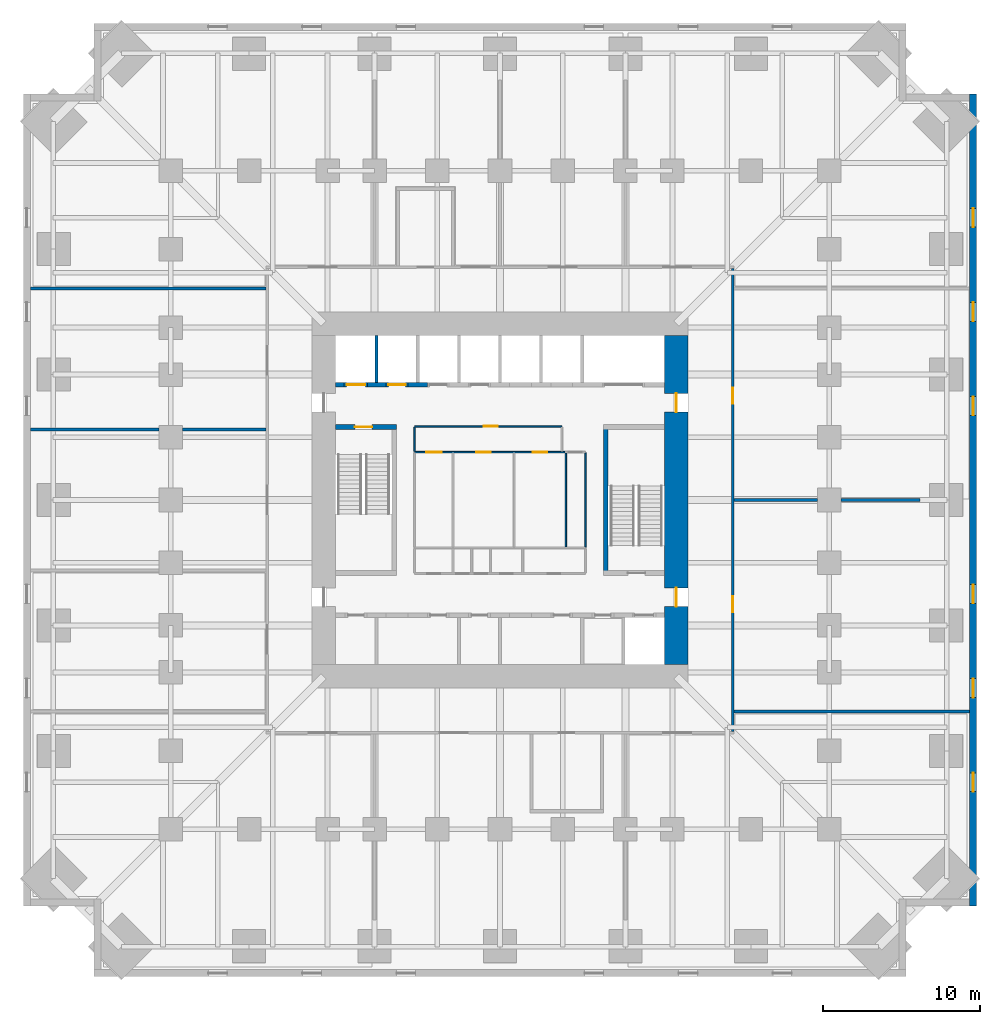
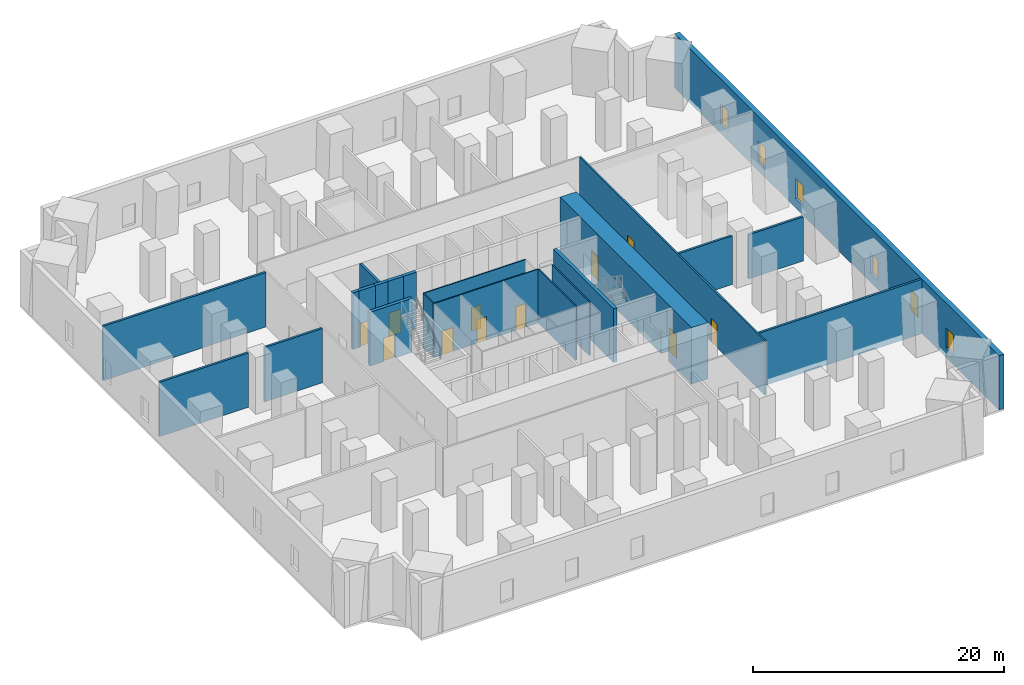
# One storey, part 5 of 8: 22 walls, 11 doors, 6 windows, 17 openings.
"""IFC4 building model written with IfcOpenShell, lengths in metres."""

import ifcopenshell
import ifcopenshell.guid

model = None  # the IFC model being written
_history = None  # IfcOwnerHistory: only IFC2X3 demands one
_inside = {}  # id of a spatial element -> (the spatial element, [elements in it])
_under = {}  # id of a project, library or spatial element -> (it, [spatial elements below it])
_declared = {}  # id of a project -> (the project, [libraries it declares])
_typed = {}  # id of a type object -> (the type object, [elements of that type])
_made_of = {}  # id of a material, layer set ... -> (it, [elements and type objects made of it])


def new_model(schema):
    """Start an empty IFC model of exactly this schema.

    Asked for "IFC4X3", IfcOpenShell would pick the latest addendum, in which some entities
    have other attributes; the version numbers below select the first issue.
    IFC2X3 requires an IfcOwnerHistory on every rooted entity: one is made here for all.
    """
    global model, _history
    if schema == "IFC4X3":
        model = ifcopenshell.file(schema_version=(4, 3, 0, 0))
    else:
        model = ifcopenshell.file(schema=schema)
    _inside.clear()
    _under.clear()
    _declared.clear()
    _typed.clear()
    _made_of.clear()
    _history = None
    if model.schema == "IFC2X3":
        org = make("IfcOrganization", Name="unknown")
        user = make(
            "IfcPersonAndOrganization",
            ThePerson=make("IfcPerson", FamilyName="unknown"),
            TheOrganization=org,
        )
        app = make(
            "IfcApplication",
            ApplicationDeveloper=org,
            Version="unknown",
            ApplicationFullName="unknown",
            ApplicationIdentifier="unknown",
        )
        _history = make(
            "IfcOwnerHistory",
            OwningUser=user,
            OwningApplication=app,
            ChangeAction="ADDED",
            CreationDate=0,
        )
    return model


def make(cls, **values):
    """One entity of the class cls with the attributes given. An attribute that is None is left unset."""
    return model.create_entity(
        cls, **{name: value for name, value in values.items() if value is not None}
    )


def rooted(cls, **values):
    """An entity with a GlobalId (a new one), such as an element, a storey or a relation."""
    return make(cls, GlobalId=ifcopenshell.guid.new(), OwnerHistory=_history, **values)


def si_unit(unit_type, name, prefix=None):
    """IfcSIUnit, for example si_unit("LENGTHUNIT", "METRE", prefix="MILLI")."""
    return make("IfcSIUnit", UnitType=unit_type, Prefix=prefix, Name=name)


def assignment(units):
    """IfcUnitAssignment: the units of a project."""
    return None if units is None else make("IfcUnitAssignment", Units=units)


def point(xyz):
    """IfcCartesianPoint."""
    return None if xyz is None else make("IfcCartesianPoint", Coordinates=xyz)


def direction(xyz):
    """IfcDirection."""
    return None if xyz is None else make("IfcDirection", DirectionRatios=xyz)


def frame(location, z_axis=None, x_axis=None):
    """IfcAxis2Placement3D, a coordinate frame: its origin and axes. An axis left out is left unset."""
    return make(
        "IfcAxis2Placement3D",
        Location=point(location),
        Axis=direction(z_axis),
        RefDirection=direction(x_axis),
    )


def frame_2d(location, x_axis=None):
    """IfcAxis2Placement2D, a coordinate frame in the plane: its origin and x axis."""
    return make(
        "IfcAxis2Placement2D", Location=point(location), RefDirection=direction(x_axis)
    )


def origin():
    """The frame at (0, 0, 0) with its axes left unset."""
    return frame((0.0, 0.0, 0.0))


def place(relative_to, where):
    """IfcLocalPlacement: puts the frame where relative to a parent placement (None: the world)."""
    return make(
        "IfcLocalPlacement", PlacementRelTo=relative_to, RelativePlacement=where
    )


def context(
    kind, dimensions, precision=None, world=None, true_north=None, identifier=None
):
    """IfcGeometricRepresentationContext, for example the 3D "Model" context."""
    return make(
        "IfcGeometricRepresentationContext",
        ContextIdentifier=identifier,
        ContextType=kind,
        CoordinateSpaceDimension=dimensions,
        Precision=precision,
        WorldCoordinateSystem=world,
        TrueNorth=true_north,
    )


def subcontext(parent, identifier, kind, view, scale=None):
    """IfcGeometricRepresentationSubContext, for example "Body" below "Model"."""
    return make(
        "IfcGeometricRepresentationSubContext",
        ContextIdentifier=identifier,
        ContextType=kind,
        ParentContext=parent,
        TargetScale=scale,
        TargetView=view,
    )


def project(units=None, contexts=None):
    """IfcProject with its units and contexts."""
    return rooted(
        "IfcProject",
        Name="project",
        RepresentationContexts=contexts,
        UnitsInContext=assignment(units),
    )


def spatial(cls, under=None, at=None, **own):
    """A site, building, storey or space (cls), placed at a placement, below another one or the project."""
    s = rooted(cls, ObjectPlacement=at, **own)
    if under is not None:
        _under.setdefault(under.id(), (under, []))[1].append(s)
    return s


def profile(cls, at=None, kind="AREA", **sizes):
    """A parametric profile (cls). Its sizes go by their IFC names, for example OverallWidth=200.0."""
    return make(cls, ProfileType=kind, Position=at, **sizes)


def rectangle(**sizes):
    """IfcRectangleProfileDef."""
    return profile("IfcRectangleProfileDef", **sizes)


def extrude(swept, where, along, depth):
    """IfcExtrudedAreaSolid: the profile swept, set in the frame where, extruded along a direction by depth."""
    return make(
        "IfcExtrudedAreaSolid",
        SweptArea=swept,
        Position=where,
        ExtrudedDirection=direction(along),
        Depth=depth,
    )


def shape(context_of_items, identifier, shape_type, items):
    """IfcShapeRepresentation: the items that make up one representation, for example the "Body"."""
    return make(
        "IfcShapeRepresentation",
        ContextOfItems=context_of_items,
        RepresentationIdentifier=identifier,
        RepresentationType=shape_type,
        Items=items,
    )


def material(Name=None, Category=None):
    """IfcMaterial."""
    return make("IfcMaterial", Name=Name, Category=Category)


def layer(
    of_material, thickness, ventilated=None, Name=None, Category=None, Priority=None
):
    """IfcMaterialLayer: one layer of a wall or slab, of a material (None: an air gap)."""
    return make(
        "IfcMaterialLayer",
        Material=of_material,
        LayerThickness=thickness,
        IsVentilated=ventilated,
        Name=Name,
        Category=Category,
        Priority=Priority,
    )


def layer_set(layers, Name=None):
    """IfcMaterialLayerSet."""
    return make("IfcMaterialLayerSet", MaterialLayers=layers, LayerSetName=Name)


def made_of(thing, what):
    """Note that an element or type object is made of a material, layer set ...; save() writes the relation."""
    if what is not None:
        _made_of.setdefault(what.id(), (what, []))[1].append(thing)
    return thing


def type_object(cls, material=None, **own):
    """A type object (cls), such as IfcWallType, which elements share."""
    return made_of(rooted(cls, **own), material)


def element(
    cls,
    number,
    at=None,
    inside=None,
    cuts=None,
    type_object=None,
    material=None,
    context=None,
    identifier="Body",
    shape_type=None,
    held_by="IfcProductDefinitionShape",
    body=None,
    shapes=None,
    **own,
):
    """One element of the class cls, such as IfcWall. Its Tag is "e" and its number.

    at: its placement. inside: the storey or other place that contains it. cuts: it is an
    opening in that element (IfcRelVoidsElement). A single representation is given by context,
    identifier, shape_type and body (its items); several are given by shapes. held_by: the class
    of the entity that holds the representations. save() writes the other relations.
    """
    e = rooted(cls, Tag="e%d" % number, ObjectPlacement=at, **own)
    if body is not None:
        shapes = [shape(context, identifier, shape_type, body)]
    if shapes is not None:
        e.Representation = make(held_by, Representations=shapes)
    if inside is not None:
        _inside.setdefault(inside.id(), (inside, []))[1].append(e)
    if cuts is not None:
        rooted(
            "IfcRelVoidsElement", RelatingBuildingElement=cuts, RelatedOpeningElement=e
        )
    if type_object is not None:
        _typed.setdefault(type_object.id(), (type_object, []))[1].append(e)
    return made_of(e, material)


def fill(opening, filler):
    """IfcRelFillsElement: the door or window that sits in an opening."""
    return rooted(
        "IfcRelFillsElement",
        RelatingOpeningElement=opening,
        RelatedBuildingElement=filler,
    )


def aggregate(whole, parts):
    """IfcRelAggregates: a whole, such as a stair, and the parts it consists of."""
    return rooted("IfcRelAggregates", RelatingObject=whole, RelatedObjects=parts)


def save(model, path):
    """Write the relations noted so far, then the file.

    IfcRelAggregates (storeys below a building ...), IfcRelContainedInSpatialStructure (elements
    in a storey), IfcRelDefinesByType, IfcRelAssociatesMaterial and IfcRelDeclares: one each for
    every whole, place, type object, material and project.
    """
    for whole, parts in _under.values():
        aggregate(whole, parts)
    for where, things in _inside.values():
        rooted(
            "IfcRelContainedInSpatialStructure",
            RelatedElements=things,
            RelatingStructure=where,
        )
    for kind, things in _typed.values():
        rooted("IfcRelDefinesByType", RelatedObjects=things, RelatingType=kind)
    for what, things in _made_of.values():
        rooted("IfcRelAssociatesMaterial", RelatedObjects=things, RelatingMaterial=what)
    for by, libraries in _declared.values():
        rooted("IfcRelDeclares", RelatingContext=by, RelatedDefinitions=libraries)
    model.write(path)


model = new_model("IFC4")

# Units and contexts
model_context = context("Model", 3, precision=1e-05, world=origin(), true_north=direction((0.0, 1.0)))
body_context = subcontext(model_context, "Body", "Model", "MODEL_VIEW")
ifc_project = project(units=[si_unit("LENGTHUNIT", "METRE"), si_unit("AREAUNIT", "SQUARE_METRE"), si_unit("VOLUMEUNIT", "CUBIC_METRE"), si_unit("PLANEANGLEUNIT", "RADIAN"), si_unit("MASSUNIT", "GRAM", prefix="KILO")], contexts=[model_context])

# Site, building, storey
site_placement = place(None, origin())
site = spatial("IfcSite", under=ifc_project, at=site_placement, CompositionType="ELEMENT")
building_placement = place(site_placement, origin())
building = spatial("IfcBuilding", under=site, at=building_placement, Name="Peilmerk Tower", CompositionType="ELEMENT")
storey_placement = place(building_placement, frame((0.0, 0.0, 59.5)))
storey = spatial("IfcBuildingStorey", under=building, at=storey_placement, Name="L11", CompositionType="ELEMENT", Elevation=59.5)

# Wall, openings, windows
ifc_material_1 = material(Name="Precast concrete C45/55, board-marked finish", Category="concrete")
ifc_layer_1 = layer(ifc_material_1, 0.449951171875)
ifc_layer_set_1 = layer_set([ifc_layer_1], Name="Precast concrete C45/55, board-marked finish")
wall_type_1 = type_object("IfcWallType", Name="EW1 450 precast concrete facade wall, board-marked", PredefinedType="SOLIDWALL", material=ifc_layer_set_1)
wall_1_placement = place(storey_placement, frame((30.175048828125, -25.89990234375, 0.0), z_axis=(0.0, 0.0, 1.0), x_axis=(0.0, 1.0, 0.0)))
wall_1 = element("IfcWall", 1, at=wall_1_placement, inside=storey, type_object=wall_type_1, Name="Facade wall E L11", PredefinedType="SOLIDWALL", context=body_context, shape_type="SweptSolid", body=[
    extrude(rectangle(XDim=51.7998046875, YDim=0.449951171875, at=frame_2d((25.89990234375, 0.0))), origin(), (0.0, 0.0, 1.0), 5.300048828125),
])
opening_1_placement = place(wall_1_placement, frame((7.300048828125, 0.0, 0.89990234375)))
opening_1 = element("IfcOpeningElement", 2, at=opening_1_placement, cuts=wall_1, Name="Opening W2", PredefinedType="OPENING", context=body_context, shape_type="SweptSolid", body=[
    extrude(rectangle(XDim=1.199951171875, YDim=2.0, at=frame_2d((0.60009765625, 1.0))), frame((0.0, 0.23486328125, 0.0), z_axis=(0.0, -1.0, 0.0), x_axis=(1.0, 0.0, 0.0)), (0.0, 0.0, 1.0), 0.469970703125),
])
opening_2_placement = place(wall_1_placement, frame((13.300048828125, 0.0, 0.89990234375)))
opening_2 = element("IfcOpeningElement", 3, at=opening_2_placement, cuts=wall_1, Name="Opening W2", PredefinedType="OPENING", context=body_context, shape_type="SweptSolid", body=[
    extrude(rectangle(XDim=1.199951171875, YDim=2.0, at=frame_2d((0.60009765625, 1.0))), frame((0.0, 0.23486328125, 0.0), z_axis=(0.0, -1.0, 0.0), x_axis=(1.0, 0.0, 0.0)), (0.0, 0.0, 1.0), 0.469970703125),
])
opening_3_placement = place(wall_1_placement, frame((19.300048828125, 0.0, 0.89990234375)))
opening_3 = element("IfcOpeningElement", 4, at=opening_3_placement, cuts=wall_1, Name="Opening W2", PredefinedType="OPENING", context=body_context, shape_type="SweptSolid", body=[
    extrude(rectangle(XDim=1.199951171875, YDim=2.0, at=frame_2d((0.60009765625, 1.0))), frame((0.0, 0.23486328125, 0.0), z_axis=(0.0, -1.0, 0.0), x_axis=(1.0, 0.0, 0.0)), (0.0, 0.0, 1.0), 0.469970703125),
])
opening_4_placement = place(wall_1_placement, frame((31.300048828125, 0.0, 0.89990234375)))
opening_4 = element("IfcOpeningElement", 5, at=opening_4_placement, cuts=wall_1, Name="Opening W2", PredefinedType="OPENING", context=body_context, shape_type="SweptSolid", body=[
    extrude(rectangle(XDim=1.199951171875, YDim=2.0, at=frame_2d((0.60009765625, 1.0))), frame((0.0, 0.23486328125, 0.0), z_axis=(0.0, -1.0, 0.0), x_axis=(1.0, 0.0, 0.0)), (0.0, 0.0, 1.0), 0.469970703125),
])
opening_5_placement = place(wall_1_placement, frame((37.300048828125, 0.0, 0.89990234375)))
opening_5 = element("IfcOpeningElement", 6, at=opening_5_placement, cuts=wall_1, Name="Opening W2", PredefinedType="OPENING", context=body_context, shape_type="SweptSolid", body=[
    extrude(rectangle(XDim=1.199951171875, YDim=2.0, at=frame_2d((0.60009765625, 1.0))), frame((0.0, 0.23486328125, 0.0), z_axis=(0.0, -1.0, 0.0), x_axis=(1.0, 0.0, 0.0)), (0.0, 0.0, 1.0), 0.469970703125),
])
opening_6_placement = place(wall_1_placement, frame((43.300048828125, 0.0, 0.89990234375)))
opening_6 = element("IfcOpeningElement", 7, at=opening_6_placement, cuts=wall_1, Name="Opening W2", PredefinedType="OPENING", context=body_context, shape_type="SweptSolid", body=[
    extrude(rectangle(XDim=1.199951171875, YDim=2.0, at=frame_2d((0.60009765625, 1.0))), frame((0.0, 0.23486328125, 0.0), z_axis=(0.0, -1.0, 0.0), x_axis=(1.0, 0.0, 0.0)), (0.0, 0.0, 1.0), 0.469970703125),
])
ifc_material_2 = material(Name="Aluminium frame, clear double glazing", Category="aluminium")
window_type = type_object("IfcWindowType", Name="W2 1200x2000 data hall slot window", PartitioningType="SINGLE_PANEL", PredefinedType="WINDOW", material=ifc_material_2)
window_1_placement = place(opening_1_placement, origin())
window_1 = element("IfcWindow", 8, at=window_1_placement, inside=storey, type_object=window_type, Name="Window W2 L11", OverallHeight=2.0, OverallWidth=1.199951171875, PartitioningType="SINGLE_PANEL", PredefinedType="WINDOW", context=body_context, shape_type="SweptSolid", body=[
    extrude(rectangle(XDim=1.199951171875, YDim=2.0, at=frame_2d((0.60009765625, 1.0))), frame((0.0, 0.030029296875, 0.0), z_axis=(0.0, -1.0, 0.0), x_axis=(1.0, 0.0, 0.0)), (0.0, 0.0, 1.0), 0.06005859375),
])
fill(opening_1, window_1)
window_2_placement = place(opening_2_placement, origin())
window_2 = element("IfcWindow", 9, at=window_2_placement, inside=storey, type_object=window_type, Name="Window W2 L11", OverallHeight=2.0, OverallWidth=1.199951171875, PartitioningType="SINGLE_PANEL", PredefinedType="WINDOW", context=body_context, shape_type="SweptSolid", body=[
    extrude(rectangle(XDim=1.199951171875, YDim=2.0, at=frame_2d((0.60009765625, 1.0))), frame((0.0, 0.030029296875, 0.0), z_axis=(0.0, -1.0, 0.0), x_axis=(1.0, 0.0, 0.0)), (0.0, 0.0, 1.0), 0.06005859375),
])
fill(opening_2, window_2)
window_3_placement = place(opening_3_placement, origin())
window_3 = element("IfcWindow", 10, at=window_3_placement, inside=storey, type_object=window_type, Name="Window W2 L11", OverallHeight=2.0, OverallWidth=1.199951171875, PartitioningType="SINGLE_PANEL", PredefinedType="WINDOW", context=body_context, shape_type="SweptSolid", body=[
    extrude(rectangle(XDim=1.199951171875, YDim=2.0, at=frame_2d((0.60009765625, 1.0))), frame((0.0, 0.030029296875, 0.0), z_axis=(0.0, -1.0, 0.0), x_axis=(1.0, 0.0, 0.0)), (0.0, 0.0, 1.0), 0.06005859375),
])
fill(opening_3, window_3)
window_4_placement = place(opening_4_placement, origin())
window_4 = element("IfcWindow", 11, at=window_4_placement, inside=storey, type_object=window_type, Name="Window W2 L11", OverallHeight=2.0, OverallWidth=1.199951171875, PartitioningType="SINGLE_PANEL", PredefinedType="WINDOW", context=body_context, shape_type="SweptSolid", body=[
    extrude(rectangle(XDim=1.199951171875, YDim=2.0, at=frame_2d((0.60009765625, 1.0))), frame((0.0, 0.030029296875, 0.0), z_axis=(0.0, -1.0, 0.0), x_axis=(1.0, 0.0, 0.0)), (0.0, 0.0, 1.0), 0.06005859375),
])
fill(opening_4, window_4)
window_5_placement = place(opening_5_placement, origin())
window_5 = element("IfcWindow", 12, at=window_5_placement, inside=storey, type_object=window_type, Name="Window W2 L11", OverallHeight=2.0, OverallWidth=1.199951171875, PartitioningType="SINGLE_PANEL", PredefinedType="WINDOW", context=body_context, shape_type="SweptSolid", body=[
    extrude(rectangle(XDim=1.199951171875, YDim=2.0, at=frame_2d((0.60009765625, 1.0))), frame((0.0, 0.030029296875, 0.0), z_axis=(0.0, -1.0, 0.0), x_axis=(1.0, 0.0, 0.0)), (0.0, 0.0, 1.0), 0.06005859375),
])
fill(opening_5, window_5)
window_6_placement = place(opening_6_placement, origin())
window_6 = element("IfcWindow", 13, at=window_6_placement, inside=storey, type_object=window_type, Name="Window W2 L11", OverallHeight=2.0, OverallWidth=1.199951171875, PartitioningType="SINGLE_PANEL", PredefinedType="WINDOW", context=body_context, shape_type="SweptSolid", body=[
    extrude(rectangle(XDim=1.199951171875, YDim=2.0, at=frame_2d((0.60009765625, 1.0))), frame((0.0, 0.030029296875, 0.0), z_axis=(0.0, -1.0, 0.0), x_axis=(1.0, 0.0, 0.0)), (0.0, 0.0, 1.0), 0.06005859375),
])
fill(opening_6, window_6)

# Wall, openings, doors
ifc_material_3 = material(Name="Calcium silicate block", Category="masonry")
ifc_layer_2 = layer(ifc_material_3, 0.14990234375)
ifc_layer_set_2 = layer_set([ifc_layer_2], Name="Calcium silicate block")
wall_type_2 = type_object("IfcWallType", Name="IW1 150 corridor partition, EI 60", PredefinedType="PARTITIONING", material=ifc_layer_set_2)
wall_2_placement = place(storey_placement, frame((14.85009765625, -14.77490234375, 0.0), z_axis=(0.0, 0.0, 1.0), x_axis=(0.0, 1.0, 0.0)))
wall_2 = element("IfcWall", 14, at=wall_2_placement, inside=storey, type_object=wall_type_2, Name="Corridor wall E L11", PredefinedType="PARTITIONING", context=body_context, shape_type="SweptSolid", body=[
    extrude(rectangle(XDim=29.5498046875, YDim=0.14990234375, at=frame_2d((14.77490234375, 0.0))), origin(), (0.0, 0.0, 1.0), 5.300048828125),
])
opening_7_placement = place(wall_2_placement, frame((7.625, 0.0, 0.0)))
opening_7 = element("IfcOpeningElement", 15, at=opening_7_placement, cuts=wall_2, Name="Opening D1", PredefinedType="OPENING", context=body_context, shape_type="SweptSolid", body=[
    extrude(rectangle(XDim=1.0, YDim=2.300048828125, at=frame_2d((0.5, 1.14990234375))), frame((0.0, 0.0849609375, 0.0), z_axis=(0.0, -1.0, 0.0), x_axis=(1.0, 0.0, 0.0)), (0.0, 0.0, 1.0), 0.169921875),
])
opening_8_placement = place(wall_2_placement, frame((20.925048828125, 0.0, 0.0)))
opening_8 = element("IfcOpeningElement", 16, at=opening_8_placement, cuts=wall_2, Name="Opening D1", PredefinedType="OPENING", context=body_context, shape_type="SweptSolid", body=[
    extrude(rectangle(XDim=1.0, YDim=2.300048828125, at=frame_2d((0.5, 1.14990234375))), frame((0.0, 0.0849609375, 0.0), z_axis=(0.0, -1.0, 0.0), x_axis=(1.0, 0.0, 0.0)), (0.0, 0.0, 1.0), 0.169921875),
])
ifc_material_4 = material(Name="Timber door in steel frame", Category="steel")
door_type_1 = type_object("IfcDoorType", Name="D1 1000x2300 room door, EI2 30", OperationType="SINGLE_SWING_LEFT", PredefinedType="DOOR", material=ifc_material_4)
door_1_placement = place(opening_7_placement, frame((1.0, 0.0, 0.0), z_axis=(0.0, 0.0, 1.0), x_axis=(-1.0, 0.0, 0.0)))
door_1 = element("IfcDoor", 17, at=door_1_placement, inside=storey, type_object=door_type_1, Name="Door HV switchroom L11", OperationType="SINGLE_SWING_LEFT", OverallHeight=2.300048828125, OverallWidth=1.0, PredefinedType="DOOR", context=body_context, shape_type="SweptSolid", body=[
    extrude(rectangle(XDim=1.0, YDim=2.300048828125, at=frame_2d((0.5, 1.14990234375))), frame((0.0, 0.02490234375, 0.0), z_axis=(0.0, -1.0, 0.0), x_axis=(1.0, 0.0, 0.0)), (0.0, 0.0, 1.0), 0.050048828125),
])
fill(opening_7, door_1)
door_2_placement = place(opening_8_placement, frame((1.0, 0.0, 0.0), z_axis=(0.0, 0.0, 1.0), x_axis=(-1.0, 0.0, 0.0)))
door_2 = element("IfcDoor", 18, at=door_2_placement, inside=storey, type_object=door_type_1, Name="Door LV switchboard room L11", OperationType="SINGLE_SWING_LEFT", OverallHeight=2.300048828125, OverallWidth=1.0, PredefinedType="DOOR", context=body_context, shape_type="SweptSolid", body=[
    extrude(rectangle(XDim=1.0, YDim=2.300048828125, at=frame_2d((0.5, 1.14990234375))), frame((0.0, 0.02490234375, 0.0), z_axis=(0.0, -1.0, 0.0), x_axis=(1.0, 0.0, 0.0)), (0.0, 0.0, 1.0), 0.050048828125),
])
fill(opening_8, door_2)

# Walls
ifc_layer_3 = layer(ifc_material_3, 0.199951171875)
ifc_layer_set_3 = layer_set([ifc_layer_3], Name="Calcium silicate block")
wall_type_3 = type_object("IfcWallType", Name="IW2 200 room separating wall, EI 120", PredefinedType="PARTITIONING", material=ifc_layer_set_3)
for number, where, z_axis, x_axis, name in (
    (19, (-29.949951171875, 13.5, 0.0), (0.0, 0.0, 1.0), (1.0, 0.0, 0.0), "Room separating wall NW L11"),
    (20, (29.949951171875, -13.5, 0.0), (0.0, 0.0, 1.0), (-1.0, 0.0, 0.0), "Room separating wall SE L11"),
):
    element("IfcWall", number, at=place(storey_placement, frame(where, z_axis=z_axis, x_axis=x_axis)), inside=storey, type_object=wall_type_3, Name=name, PredefinedType="PARTITIONING", context=body_context, shape_type="SweptSolid", body=[
        extrude(rectangle(XDim=15.02490234375, YDim=0.199951171875, at=frame_2d((7.512451171875, 0.0))), origin(), (0.0, 0.0, 1.0), 5.300048828125),
    ])
wall_3_placement = place(storey_placement, frame((14.925048828125, 0.0, 0.0), z_axis=(0.0, 0.0, 1.0), x_axis=(1.0, 0.0, 0.0)))
element("IfcWall", 21, at=wall_3_placement, inside=storey, type_object=wall_type_3, Name="Room separating wall E1 L11", PredefinedType="PARTITIONING", context=body_context, shape_type="SweptSolid", body=[
    extrude(rectangle(XDim=5.324951171875, YDim=0.199951171875, at=frame_2d((2.66259765625, 0.0))), origin(), (0.0, 0.0, 1.0), 4.73095703125),
])
wall_4_placement = place(storey_placement, frame((21.75, 0.0, 0.0), z_axis=(0.0, 0.0, 1.0), x_axis=(1.0, 0.0, 0.0)))
element("IfcWall", 22, at=wall_4_placement, inside=storey, type_object=wall_type_3, Name="Room separating wall E1b L11", PredefinedType="PARTITIONING", context=body_context, shape_type="SweptSolid", body=[
    extrude(rectangle(XDim=5.040771484375, YDim=0.199951171875, at=frame_2d((2.5205078125, 0.0))), origin(), (0.0, 0.0, 1.0), 4.300048828125),
])
wall_5_placement = place(storey_placement, frame((-14.925048828125, 4.5, 0.0), z_axis=(0.0, 0.0, 1.0), x_axis=(-1.0, 0.0, 0.0)))
element("IfcWall", 23, at=wall_5_placement, inside=storey, type_object=wall_type_3, Name="Room separating wall W2 L11", PredefinedType="PARTITIONING", context=body_context, shape_type="SweptSolid", body=[
    extrude(rectangle(XDim=5.324951171875, YDim=0.199951171875, at=frame_2d((2.66259765625, 0.0))), origin(), (0.0, 0.0, 1.0), 5.300048828125),
])
wall_6_placement = place(storey_placement, frame((-21.75, 4.5, 0.0), z_axis=(0.0, 0.0, 1.0), x_axis=(-1.0, 0.0, 0.0)))
element("IfcWall", 24, at=wall_6_placement, inside=storey, type_object=wall_type_3, Name="Room separating wall W2b L11", PredefinedType="PARTITIONING", context=body_context, shape_type="SweptSolid", body=[
    extrude(rectangle(XDim=8.199951171875, YDim=0.199951171875, at=frame_2d((4.10009765625, 0.0))), origin(), (0.0, 0.0, 1.0), 5.300048828125),
])

# Wall, opening, door
ifc_material_5 = material(Name="Concrete C35/45", Category="concrete")
ifc_layer_4 = layer(ifc_material_5, 0.300048828125)
ifc_layer_set_4 = layer_set([ifc_layer_4], Name="Concrete C35/45")
wall_type_4 = type_object("IfcWallType", Name="IW3 300 concrete stair enclosure wall, EI 120", PredefinedType="SOLIDWALL", material=ifc_layer_set_4)
wall_7_placement = place(storey_placement, frame((-10.5, 4.64990234375, 0.0), z_axis=(0.0, 0.0, 1.0), x_axis=(1.0, 0.0, 0.0)))
wall_7 = element("IfcWall", 25, at=wall_7_placement, inside=storey, type_object=wall_type_4, Name="Stair 1 enclosure L11", PredefinedType="SOLIDWALL", context=body_context, shape_type="SweptSolid", body=[
    extrude(rectangle(XDim=3.89990234375, YDim=0.300048828125, at=frame_2d((1.949951171875, 0.0))), origin(), (0.0, 0.0, 1.0), 5.25),
])
opening_9_placement = place(wall_7_placement, frame((1.25, 0.0, 0.0)))
opening_9 = element("IfcOpeningElement", 26, at=opening_9_placement, cuts=wall_7, Name="Opening D4", PredefinedType="OPENING", context=body_context, shape_type="SweptSolid", body=[
    extrude(rectangle(XDim=1.10009765625, YDim=2.300048828125, at=frame_2d((0.550048828125, 1.14990234375))), frame((0.0, 0.159912109375, 0.0), z_axis=(0.0, -1.0, 0.0), x_axis=(1.0, 0.0, 0.0)), (0.0, 0.0, 1.0), 0.320068359375),
])
ifc_material_6 = material(Name="Steel door in steel frame", Category="steel")
door_type_2 = type_object("IfcDoorType", Name="D4 1100x2300 stair door, EI2 60", OperationType="SINGLE_SWING_RIGHT", PredefinedType="DOOR", material=ifc_material_6)
door_3_placement = place(opening_9_placement, frame((1.10009765625, 0.0, 0.0), z_axis=(0.0, 0.0, 1.0), x_axis=(-1.0, 0.0, 0.0)))
door_3 = element("IfcDoor", 27, at=door_3_placement, inside=storey, type_object=door_type_2, Name="Stair 1 door L11", OperationType="SINGLE_SWING_RIGHT", OverallHeight=2.300048828125, OverallWidth=1.10009765625, PredefinedType="DOOR", context=body_context, shape_type="SweptSolid", body=[
    extrude(rectangle(XDim=1.10009765625, YDim=2.300048828125, at=frame_2d((0.550048828125, 1.14990234375))), frame((0.0, 0.02490234375, 0.0), z_axis=(0.0, -1.0, 0.0), x_axis=(1.0, 0.0, 0.0)), (0.0, 0.0, 1.0), 0.050048828125),
])
fill(opening_9, door_3)

# Wall
wall_8_placement = place(storey_placement, frame((6.75, -4.800048828125, 0.0), z_axis=(0.0, 0.0, 1.0), x_axis=(0.0, 1.0, 0.0)))
element("IfcWall", 28, at=wall_8_placement, inside=storey, type_object=wall_type_4, Name="Stair 2 enclosure L11", PredefinedType="SOLIDWALL", context=body_context, shape_type="SweptSolid", body=[
    extrude(rectangle(XDim=9.60009765625, YDim=0.300048828125, at=frame_2d((4.800048828125, 0.0))), origin(), (0.0, 0.0, 1.0), 5.25),
])

# Wall, openings, doors
ifc_material_7 = material(Name="Plasterboard on steel studs", Category="steel")
ifc_layer_5 = layer(ifc_material_7, 0.10009765625)
ifc_layer_set_5 = layer_set([ifc_layer_5], Name="Plasterboard on steel studs")
wall_type_5 = type_object("IfcWallType", Name="IW4 100 WC partition", PredefinedType="PARTITIONING", material=ifc_layer_set_5)
wall_9_placement = place(storey_placement, frame((-5.449951171875, 3.050048828125, 0.0), z_axis=(0.0, 0.0, 1.0), x_axis=(1.0, 0.0, 0.0)))
wall_9 = element("IfcWall", 29, at=wall_9_placement, inside=storey, type_object=wall_type_5, Name="WC wall L11", PredefinedType="PARTITIONING", context=body_context, shape_type="SweptSolid", body=[
    extrude(rectangle(XDim=9.599853515625, YDim=0.10009765625, at=frame_2d((4.7998046875, 0.0))), origin(), (0.0, 0.0, 1.0), 5.25),
])
opening_10_placement = place(wall_9_placement, frame((0.75, 0.0, 0.0)))
opening_10 = element("IfcOpeningElement", 30, at=opening_10_placement, cuts=wall_9, Name="Opening D6", PredefinedType="OPENING", context=body_context, shape_type="SweptSolid", body=[
    extrude(rectangle(XDim=1.0, YDim=2.300048828125, at=frame_2d((0.5, 1.14990234375))), frame((0.0, 0.06005859375, 0.0), z_axis=(0.0, -1.0, 0.0), x_axis=(1.0, 0.0, 0.0)), (0.0, 0.0, 1.0), 0.1201171875),
])
opening_11_placement = place(wall_9_placement, frame((3.949951171875, 0.0, 0.0)))
opening_11 = element("IfcOpeningElement", 31, at=opening_11_placement, cuts=wall_9, Name="Opening D5", PredefinedType="OPENING", context=body_context, shape_type="SweptSolid", body=[
    extrude(rectangle(XDim=0.89990234375, YDim=2.300048828125, at=frame_2d((0.449951171875, 1.14990234375))), frame((0.0, 0.06005859375, 0.0), z_axis=(0.0, -1.0, 0.0), x_axis=(1.0, 0.0, 0.0)), (0.0, 0.0, 1.0), 0.1201171875),
])
opening_12_placement = place(wall_9_placement, frame((7.550048828125, 0.0, 0.0)))
opening_12 = element("IfcOpeningElement", 32, at=opening_12_placement, cuts=wall_9, Name="Opening D5", PredefinedType="OPENING", context=body_context, shape_type="SweptSolid", body=[
    extrude(rectangle(XDim=0.89990234375, YDim=2.300048828125, at=frame_2d((0.449951171875, 1.14990234375))), frame((0.0, 0.06005859375, 0.0), z_axis=(0.0, -1.0, 0.0), x_axis=(1.0, 0.0, 0.0)), (0.0, 0.0, 1.0), 0.1201171875),
])
door_type_3 = type_object("IfcDoorType", Name="D5 900x2300 WC door", OperationType="SINGLE_SWING_LEFT", PredefinedType="DOOR", material=ifc_material_4)
door_4_placement = place(opening_11_placement, frame((0.89990234375, 0.0, 0.0), z_axis=(0.0, 0.0, 1.0), x_axis=(-1.0, 0.0, 0.0)))
door_4 = element("IfcDoor", 33, at=door_4_placement, inside=storey, type_object=door_type_3, Name="Female toilets door L11", OperationType="SINGLE_SWING_LEFT", OverallHeight=2.300048828125, OverallWidth=0.89990234375, PredefinedType="DOOR", context=body_context, shape_type="SweptSolid", body=[
    extrude(rectangle(XDim=0.89990234375, YDim=2.300048828125, at=frame_2d((0.449951171875, 1.14990234375))), frame((0.0, 0.02490234375, 0.0), z_axis=(0.0, -1.0, 0.0), x_axis=(1.0, 0.0, 0.0)), (0.0, 0.0, 1.0), 0.050048828125),
])
fill(opening_11, door_4)
door_5_placement = place(opening_12_placement, frame((0.89990234375, 0.0, 0.0), z_axis=(0.0, 0.0, 1.0), x_axis=(-1.0, 0.0, 0.0)))
door_5 = element("IfcDoor", 34, at=door_5_placement, inside=storey, type_object=door_type_3, Name="Male toilets door L11", OperationType="SINGLE_SWING_LEFT", OverallHeight=2.300048828125, OverallWidth=0.89990234375, PredefinedType="DOOR", context=body_context, shape_type="SweptSolid", body=[
    extrude(rectangle(XDim=0.89990234375, YDim=2.300048828125, at=frame_2d((0.449951171875, 1.14990234375))), frame((0.0, 0.02490234375, 0.0), z_axis=(0.0, -1.0, 0.0), x_axis=(1.0, 0.0, 0.0)), (0.0, 0.0, 1.0), 0.050048828125),
])
fill(opening_12, door_5)
door_type_4 = type_object("IfcDoorType", Name="D6 1000x2300 accessible WC door", OperationType="SLIDING_TO_LEFT", PredefinedType="DOOR", material=ifc_material_4)
door_6_placement = place(opening_10_placement, frame((1.0, 0.0, 0.0), z_axis=(0.0, 0.0, 1.0), x_axis=(-1.0, 0.0, 0.0)))
door_6 = element("IfcDoor", 35, at=door_6_placement, inside=storey, type_object=door_type_4, Name="Accessible WC door L11", OperationType="SLIDING_TO_LEFT", OverallHeight=2.300048828125, OverallWidth=1.0, PredefinedType="DOOR", context=body_context, shape_type="SweptSolid", body=[
    extrude(rectangle(XDim=1.0, YDim=2.300048828125, at=frame_2d((0.5, 1.14990234375))), frame((0.0, 0.02490234375, 0.0), z_axis=(0.0, -1.0, 0.0), x_axis=(1.0, 0.0, 0.0)), (0.0, 0.0, 1.0), 0.050048828125),
])
fill(opening_10, door_6)

# Walls
ifc_material_8 = material(Name="Calcium silicate board on steel studs", Category="steel")
ifc_layer_6 = layer(ifc_material_8, 0.10009765625)
ifc_layer_set_6 = layer_set([ifc_layer_6], Name="Calcium silicate board on steel studs")
wall_type_6 = type_object("IfcWallType", Name="IW5 100 riser enclosure wall, EI 60", PredefinedType="PARTITIONING", material=ifc_layer_set_6)
for number, where, z_axis, x_axis, name in (
    (36, (5.449951171875, 3.0, 0.0), (0.0, 0.0, 1.0), (0.0, -1.0, 0.0), "Riser wall L11"),
    (37, (4.199951171875, -3.0, 0.0), (0.0, 0.0, 1.0), (0.0, 1.0, 0.0), "Riser wall L11"),
):
    element("IfcWall", number, at=place(storey_placement, frame(where, z_axis=z_axis, x_axis=x_axis)), inside=storey, type_object=wall_type_6, Name=name, PredefinedType="PARTITIONING", context=body_context, shape_type="SweptSolid", body=[
        extrude(rectangle(XDim=6.0, YDim=0.10009765625, at=frame_2d((3.0, 0.0))), origin(), (0.0, 0.0, 1.0), 5.25),
    ])

# Wall, opening, door
ifc_material_9 = material(Name="Fire-resisting plasterboard on steel studs", Category="steel")
ifc_layer_7 = layer(ifc_material_9, 0.10009765625)
ifc_layer_set_7 = layer_set([ifc_layer_7], Name="Fire-resisting plasterboard on steel studs")
wall_type_7 = type_object("IfcWallType", Name="IW9 100 WC lobby wall, EI 30", PredefinedType="PARTITIONING", material=ifc_layer_set_7)
wall_10_placement = place(storey_placement, frame((-5.449951171875, 4.699951171875, 0.0), z_axis=(0.0, 0.0, 1.0), x_axis=(1.0, 0.0, 0.0)))
wall_10 = element("IfcWall", 38, at=wall_10_placement, inside=storey, type_object=wall_type_7, Name="WC lobby wall L11", PredefinedType="PARTITIONING", context=body_context, shape_type="SweptSolid", body=[
    extrude(rectangle(XDim=9.39990234375, YDim=0.10009765625, at=frame_2d((4.699951171875, 0.0))), origin(), (0.0, 0.0, 1.0), 5.25),
])
opening_13_placement = place(wall_10_placement, frame((4.39990234375, 0.0, 0.0)))
opening_13 = element("IfcOpeningElement", 39, at=opening_13_placement, cuts=wall_10, Name="Opening D11", PredefinedType="OPENING", context=body_context, shape_type="SweptSolid", body=[
    extrude(rectangle(XDim=0.89990234375, YDim=2.300048828125, at=frame_2d((0.449951171875, 1.14990234375))), frame((0.0, 0.06005859375, 0.0), z_axis=(0.0, -1.0, 0.0), x_axis=(1.0, 0.0, 0.0)), (0.0, 0.0, 1.0), 0.1201171875),
])
door_type_5 = type_object("IfcDoorType", Name="D11 900x2300 WC lobby door, EI2 30", OperationType="SINGLE_SWING_LEFT", PredefinedType="DOOR", material=ifc_material_4)
door_7_placement = place(opening_13_placement, frame((0.89990234375, 0.0, 0.0), z_axis=(0.0, 0.0, 1.0), x_axis=(-1.0, 0.0, 0.0)))
door_7 = element("IfcDoor", 40, at=door_7_placement, inside=storey, type_object=door_type_5, Name="WC lobby door L11", OperationType="SINGLE_SWING_LEFT", OverallHeight=2.300048828125, OverallWidth=0.89990234375, PredefinedType="DOOR", context=body_context, shape_type="SweptSolid", body=[
    extrude(rectangle(XDim=0.89990234375, YDim=2.300048828125, at=frame_2d((0.449951171875, 1.14990234375))), frame((0.0, 0.02490234375, 0.0), z_axis=(0.0, -1.0, 0.0), x_axis=(1.0, 0.0, 0.0)), (0.0, 0.0, 1.0), 0.050048828125),
])
fill(opening_13, door_7)

# Walls
wall_11_placement = place(storey_placement, frame((-5.449951171875, 3.10009765625, 0.0), z_axis=(0.0, 0.0, 1.0), x_axis=(0.0, 1.0, 0.0)))
element("IfcWall", 41, at=wall_11_placement, inside=storey, type_object=wall_type_7, Name="WC lobby wall L11", PredefinedType="PARTITIONING", context=body_context, shape_type="SweptSolid", body=[
    extrude(rectangle(XDim=1.5498046875, YDim=0.10009765625, at=frame_2d((0.77490234375, 0.0))), origin(), (0.0, 0.0, 1.0), 5.25),
])
ifc_layer_8 = layer(ifc_material_3, 0.199951171875)
ifc_layer_set_8 = layer_set([ifc_layer_8], Name="Calcium silicate block")
wall_type_8 = type_object("IfcWallType", Name="SH1 200 shaft dividing wall, EI 120", PredefinedType="PARTITIONING", material=ifc_layer_set_8)
wall_12_placement = place(storey_placement, frame((-7.875, 7.5, 0.0), z_axis=(0.0, 0.0, 1.0), x_axis=(0.0, 1.0, 0.0)))
element("IfcWall", 42, at=wall_12_placement, inside=storey, type_object=wall_type_8, Name="Shaft wall N FL1 L11", PredefinedType="PARTITIONING", context=body_context, shape_type="SweptSolid", body=[
    extrude(rectangle(XDim=3.0, YDim=0.199951171875, at=frame_2d((1.5, 0.0))), origin(), (0.0, 0.0, 1.0), 5.5),
])

# Wall, opening, door
ifc_layer_9 = layer(ifc_material_3, 0.300048828125)
ifc_layer_set_9 = layer_set([ifc_layer_9], Name="Calcium silicate block")
wall_type_9 = type_object("IfcWallType", Name="SH2 300 lift landing door panel, EI 120", PredefinedType="PARTITIONING", material=ifc_layer_set_9)
wall_13_placement = place(storey_placement, frame((-9.9375, 7.35009765625, 0.0), z_axis=(0.0, 0.0, 1.0), x_axis=(1.0, 0.0, 0.0)))
wall_13 = element("IfcWall", 43, at=wall_13_placement, inside=storey, type_object=wall_type_9, Name="Lift door panel N FL1 L11", PredefinedType="PARTITIONING", context=body_context, shape_type="SweptSolid", body=[
    extrude(rectangle(XDim=1.5, YDim=0.300048828125, at=frame_2d((0.75, 0.0))), origin(), (0.0, 0.0, 1.0), 5.5),
])
opening_14_placement = place(wall_13_placement, frame((0.14990234375, 0.0, 0.0)))
opening_14 = element("IfcOpeningElement", 44, at=opening_14_placement, cuts=wall_13, Name="Opening LD2", PredefinedType="OPENING", context=body_context, shape_type="SweptSolid", body=[
    extrude(rectangle(XDim=1.199951171875, YDim=2.300048828125, at=frame_2d((0.60009765625, 1.14990234375))), frame((0.0, 0.159912109375, 0.0), z_axis=(0.0, -1.0, 0.0), x_axis=(1.0, 0.0, 0.0)), (0.0, 0.0, 1.0), 0.320068359375),
])
ifc_material_10 = material(Name="Stainless steel landing door", Category="steel")
door_type_6 = type_object("IfcDoorType", Name="LD2 1200x2300 lift landing door, sliding, EI2 60", OperationType="SLIDING_TO_LEFT", PredefinedType="DOOR", material=ifc_material_10)
door_8_placement = place(opening_14_placement, frame((1.199951171875, 0.0, 0.0), z_axis=(0.0, 0.0, 1.0), x_axis=(-1.0, 0.0, 0.0)))
door_8 = element("IfcDoor", 45, at=door_8_placement, inside=storey, type_object=door_type_6, Name="Lift landing door FL1 L11", OperationType="SLIDING_TO_LEFT", OverallHeight=2.300048828125, OverallWidth=1.199951171875, PredefinedType="DOOR", context=body_context, shape_type="SweptSolid", body=[
    extrude(rectangle(XDim=1.199951171875, YDim=2.300048828125, at=frame_2d((0.60009765625, 1.14990234375))), frame((0.0, 0.02490234375, 0.0), z_axis=(0.0, -1.0, 0.0), x_axis=(1.0, 0.0, 0.0)), (0.0, 0.0, 1.0), 0.050048828125),
])
fill(opening_14, door_8)

wall_14_placement = place(storey_placement, frame((-7.262451171875, 7.35009765625, 0.0), z_axis=(0.0, 0.0, 1.0), x_axis=(1.0, 0.0, 0.0)))
wall_14 = element("IfcWall", 46, at=wall_14_placement, inside=storey, type_object=wall_type_9, Name="Lift door panel N A1 L11", PredefinedType="PARTITIONING", context=body_context, shape_type="SweptSolid", body=[
    extrude(rectangle(XDim=1.39990234375, YDim=0.300048828125, at=frame_2d((0.699951171875, 0.0))), origin(), (0.0, 0.0, 1.0), 5.5),
])
opening_15_placement = place(wall_14_placement, frame((0.14990234375, 0.0, 0.0)))
opening_15 = element("IfcOpeningElement", 47, at=opening_15_placement, cuts=wall_14, Name="Opening LD1", PredefinedType="OPENING", context=body_context, shape_type="SweptSolid", body=[
    extrude(rectangle(XDim=1.10009765625, YDim=2.300048828125, at=frame_2d((0.550048828125, 1.14990234375))), frame((0.0, 0.159912109375, 0.0), z_axis=(0.0, -1.0, 0.0), x_axis=(1.0, 0.0, 0.0)), (0.0, 0.0, 1.0), 0.320068359375),
])
door_type_7 = type_object("IfcDoorType", Name="LD1 1100x2300 lift landing door, sliding, EI2 60", OperationType="SLIDING_TO_LEFT", PredefinedType="DOOR", material=ifc_material_10)
door_9_placement = place(opening_15_placement, frame((1.10009765625, 0.0, 0.0), z_axis=(0.0, 0.0, 1.0), x_axis=(-1.0, 0.0, 0.0)))
door_9 = element("IfcDoor", 48, at=door_9_placement, inside=storey, type_object=door_type_7, Name="Lift landing door A1 L11", OperationType="SLIDING_TO_LEFT", OverallHeight=2.300048828125, OverallWidth=1.10009765625, PredefinedType="DOOR", context=body_context, shape_type="SweptSolid", body=[
    extrude(rectangle(XDim=1.10009765625, YDim=2.300048828125, at=frame_2d((0.550048828125, 1.14990234375))), frame((0.0, 0.02490234375, 0.0), z_axis=(0.0, -1.0, 0.0), x_axis=(1.0, 0.0, 0.0)), (0.0, 0.0, 1.0), 0.050048828125),
])
fill(opening_15, door_9)

# Wall, openings, doors
ifc_material_11 = material(Name="Concrete C55/67", Category="concrete")
ifc_layer_10 = layer(ifc_material_11, 1.5)
ifc_layer_set_10 = layer_set([ifc_layer_10], Name="Concrete C55/67")
wall_type_10 = type_object("IfcWallType", Name="SW1 1500 core wall", PredefinedType="SHEAR", material=ifc_layer_set_10)
wall_15_placement = place(storey_placement, frame((11.25, 10.5, 0.0), z_axis=(0.0, 0.0, 1.0), x_axis=(0.0, -1.0, 0.0)))
wall_15 = element("IfcWall", 49, at=wall_15_placement, inside=storey, type_object=wall_type_10, Name="Core wall E L11", PredefinedType="SHEAR", context=body_context, shape_type="SweptSolid", body=[
    extrude(rectangle(XDim=21.0, YDim=1.5, at=frame_2d((10.5, 0.0))), origin(), (0.0, 0.0, 1.0), 5.5),
])
opening_16_placement = place(wall_15_placement, frame((3.699951171875, 0.0, 0.0)))
opening_16 = element("IfcOpeningElement", 50, at=opening_16_placement, cuts=wall_15, Name="Opening D3", PredefinedType="OPENING", context=body_context, shape_type="SweptSolid", body=[
    extrude(rectangle(XDim=1.199951171875, YDim=2.300048828125, at=frame_2d((0.60009765625, 1.14990234375))), frame((0.0, 0.760009765625, 0.0), z_axis=(0.0, -1.0, 0.0), x_axis=(1.0, 0.0, 0.0)), (0.0, 0.0, 1.0), 1.52001953125),
])
opening_17_placement = place(wall_15_placement, frame((16.10009765625, 0.0, 0.0)))
opening_17 = element("IfcOpeningElement", 51, at=opening_17_placement, cuts=wall_15, Name="Opening D3", PredefinedType="OPENING", context=body_context, shape_type="SweptSolid", body=[
    extrude(rectangle(XDim=1.199951171875, YDim=2.300048828125, at=frame_2d((0.60009765625, 1.14990234375))), frame((0.0, 0.760009765625, 0.0), z_axis=(0.0, -1.0, 0.0), x_axis=(1.0, 0.0, 0.0)), (0.0, 0.0, 1.0), 1.52001953125),
])
door_type_8 = type_object("IfcDoorType", Name="D3 1200x2300 core door, EI2 60", OperationType="SINGLE_SWING_LEFT", PredefinedType="DOOR", material=ifc_material_6)
door_10_placement = place(opening_16_placement, frame((1.199951171875, 0.0, 0.0), z_axis=(0.0, 0.0, 1.0), x_axis=(-1.0, 0.0, 0.0)))
door_10 = element("IfcDoor", 52, at=door_10_placement, inside=storey, type_object=door_type_8, Name="Core door L11", OperationType="SINGLE_SWING_LEFT", OverallHeight=2.300048828125, OverallWidth=1.199951171875, PredefinedType="DOOR", context=body_context, shape_type="SweptSolid", body=[
    extrude(rectangle(XDim=1.199951171875, YDim=2.300048828125, at=frame_2d((0.60009765625, 1.14990234375))), frame((0.0, 0.02490234375, 0.0), z_axis=(0.0, -1.0, 0.0), x_axis=(1.0, 0.0, 0.0)), (0.0, 0.0, 1.0), 0.050048828125),
])
fill(opening_16, door_10)
door_11_placement = place(opening_17_placement, frame((1.199951171875, 0.0, 0.0), z_axis=(0.0, 0.0, 1.0), x_axis=(-1.0, 0.0, 0.0)))
door_11 = element("IfcDoor", 53, at=door_11_placement, inside=storey, type_object=door_type_8, Name="Core door L11", OperationType="SINGLE_SWING_LEFT", OverallHeight=2.300048828125, OverallWidth=1.199951171875, PredefinedType="DOOR", context=body_context, shape_type="SweptSolid", body=[
    extrude(rectangle(XDim=1.199951171875, YDim=2.300048828125, at=frame_2d((0.60009765625, 1.14990234375))), frame((0.0, 0.02490234375, 0.0), z_axis=(0.0, -1.0, 0.0), x_axis=(1.0, 0.0, 0.0)), (0.0, 0.0, 1.0), 0.050048828125),
])
fill(opening_17, door_11)

# Walls
ifc_layer_11 = layer(ifc_material_11, 0.300048828125)
ifc_layer_set_11 = layer_set([ifc_layer_11], Name="Concrete C55/67")
wall_type_11 = type_object("IfcWallType", Name="SW2 300 lift bank pier", PredefinedType="SHEAR", material=ifc_layer_set_11)
wall_16_placement = place(storey_placement, frame((-10.5, 7.35009765625, 0.0), z_axis=(0.0, 0.0, 1.0), x_axis=(1.0, 0.0, 0.0)))
element("IfcWall", 54, at=wall_16_placement, inside=storey, type_object=wall_type_11, Name="Lift bank pier N L11", PredefinedType="SHEAR", context=body_context, shape_type="SweptSolid", body=[
    extrude(rectangle(XDim=0.5625, YDim=0.300048828125, at=frame_2d((0.28125, 0.0))), origin(), (0.0, 0.0, 1.0), 5.5),
])
wall_17_placement = place(storey_placement, frame((-8.4375, 7.35009765625, 0.0), z_axis=(0.0, 0.0, 1.0), x_axis=(1.0, 0.0, 0.0)))
element("IfcWall", 55, at=wall_17_placement, inside=storey, type_object=wall_type_11, Name="Lift bank pier N L11", PredefinedType="SHEAR", context=body_context, shape_type="SweptSolid", body=[
    extrude(rectangle(XDim=1.175048828125, YDim=0.300048828125, at=frame_2d((0.58740234375, 0.0))), origin(), (0.0, 0.0, 1.0), 5.5),
])
wall_18_placement = place(storey_placement, frame((-5.862548828125, 7.35009765625, 0.0), z_axis=(0.0, 0.0, 1.0), x_axis=(1.0, 0.0, 0.0)))
element("IfcWall", 56, at=wall_18_placement, inside=storey, type_object=wall_type_11, Name="Lift bank pier N L11", PredefinedType="SHEAR", context=body_context, shape_type="SweptSolid", body=[
    extrude(rectangle(XDim=1.22509765625, YDim=0.300048828125, at=frame_2d((0.612548828125, 0.0))), origin(), (0.0, 0.0, 1.0), 5.5),
])

save(model, "model.ifc")
